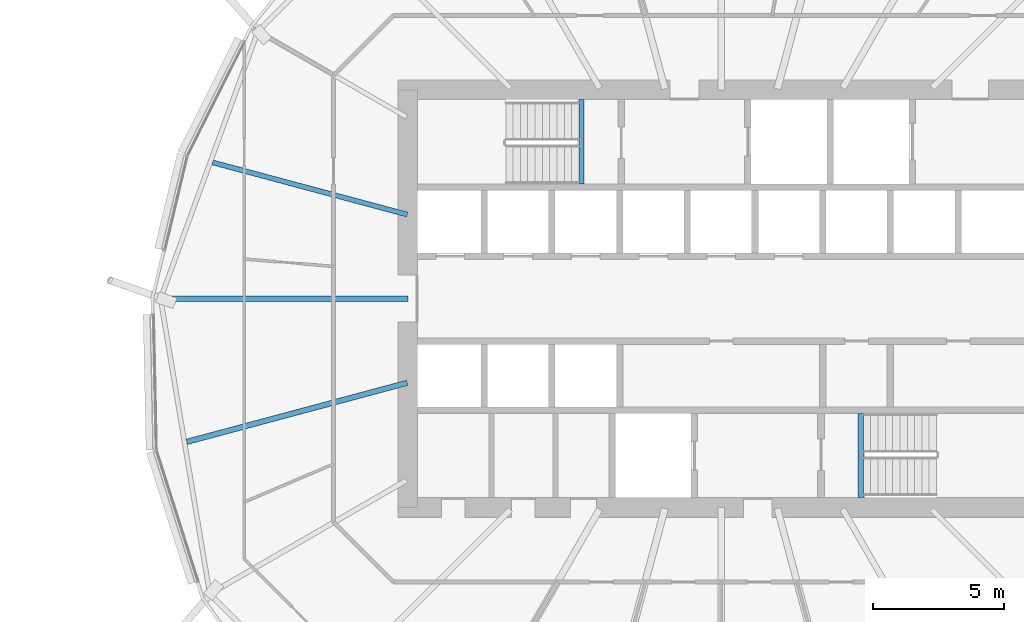
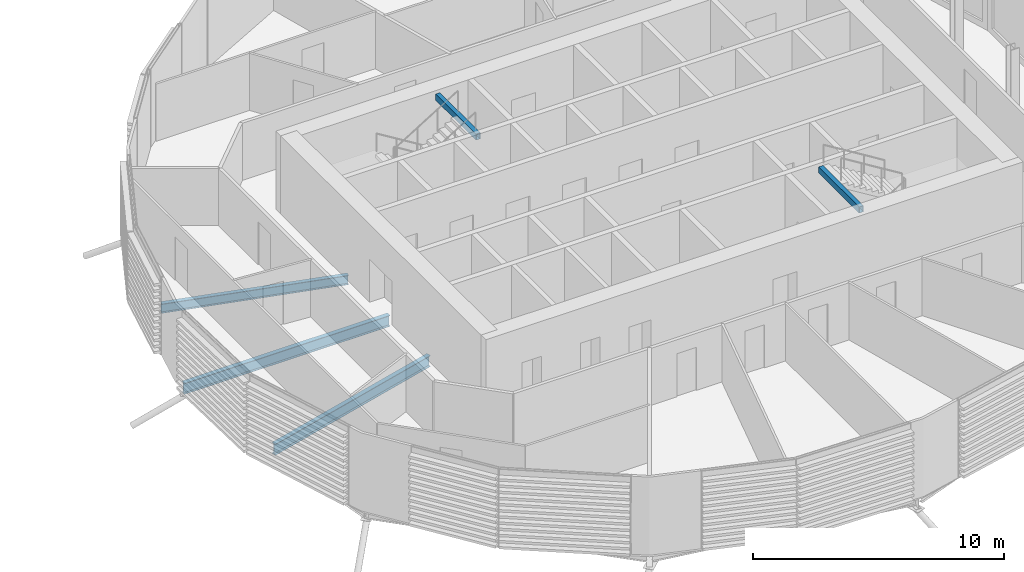
# One storey, part 15 of 38: 5 beams.
"""IFC4 building model written with IfcOpenShell, lengths in metres."""

from ifc_helpers import new_model, si_unit, direction, frame, origin, origin_2d, place, context, subcontext, project, spatial, hollow_rectangle, i_section, extrude, material, material_profile, profile_set, type_object, element, save


model = new_model("IFC4")

# Units and contexts
model_context = context("Model", 3, precision=1e-05, world=origin(), true_north=direction((0.0, 1.0)))
body_context = subcontext(model_context, "Body", "Model", "MODEL_VIEW")
ifc_project = project(units=[si_unit("LENGTHUNIT", "METRE"), si_unit("AREAUNIT", "SQUARE_METRE"), si_unit("VOLUMEUNIT", "CUBIC_METRE"), si_unit("PLANEANGLEUNIT", "RADIAN"), si_unit("MASSUNIT", "GRAM", prefix="KILO")], contexts=[model_context])

# Site, building, storey
site_placement = place(None, origin())
site = spatial("IfcSite", under=ifc_project, at=site_placement, CompositionType="ELEMENT")
building_placement = place(site_placement, origin())
building = spatial("IfcBuilding", under=site, at=building_placement, Name="Rimbun Link Towers", CompositionType="ELEMENT")
storey_placement = place(building_placement, frame((0.0, 0.0, 119.60009765625)))
storey = spatial("IfcBuildingStorey", under=building, at=storey_placement, Name="L29", CompositionType="ELEMENT", Elevation=119.60009765625)

# Beams
ifc_material_1 = material(Name="Steel S355J2", Category="steel")
ifc_material_profile_1 = material_profile(ifc_material_1, hollow_rectangle(XDim=0.199951171875, YDim=0.300048828125, WallThickness=0.011962890625, at=origin_2d()), Name="BOX 300x200x12")
ifc_profile_set_1 = profile_set([ifc_material_profile_1], Name="Steel S355J2")
beam_type_1 = type_object("IfcBeamType", Name="Stair trimmer beam BOX 300x200x12", PredefinedType="BEAM", material=ifc_profile_set_1)
for number, where, z_axis, x_axis, name in (
    (1, (26.39990234375, 7.625, 3.489990234375), (0.0, -1.0, 0.0), (1.0, 0.0, 0.0), "L29 ST3 stair beam 1"),
    (2, (37.10009765625, -7.625, 3.489990234375), (0.0, 1.0, 0.0), (-1.0, 0.0, 0.0), "L29 ST4 stair beam 1"),
):
    element("IfcBeam", number, at=place(storey_placement, frame(where, z_axis=z_axis, x_axis=x_axis)), inside=storey, type_object=beam_type_1, Name=name, PredefinedType="BEAM", context=body_context, shape_type="SweptSolid", body=[
        extrude(hollow_rectangle(XDim=0.199951171875, YDim=0.300048828125, WallThickness=0.011962890625, at=origin_2d()), origin(), (0.0, 0.0, 1.0), 3.22509765625),
    ])
ifc_material_2 = material(Name="Steel S355J2", Category="steel")
ifc_material_profile_2 = material_profile(ifc_material_2, i_section(OverallWidth=0.18994140625, OverallDepth=0.453369140625, WebThickness=0.008544921875, FlangeThickness=0.0126953125, at=origin_2d()), Name="UB 457x191x67")
ifc_profile_set_2 = profile_set([ifc_material_profile_2], Name="Steel S355J2")
beam_type_2 = type_object("IfcBeamType", Name="UB 457x191x67", PredefinedType="BEAM", material=ifc_profile_set_2)
beam_1_placement = place(storey_placement, frame((19.724609375, 3.22216796875, -0.38671875), z_axis=(-0.9659264379, 0.258816762529, 0.0), x_axis=(-0.258816762529, -0.9659264379, 0.0)))
element("IfcBeam", 3, at=beam_1_placement, inside=storey, type_object=beam_type_2, Name="Radial beam T2 L29 08", PredefinedType="BEAM", context=body_context, shape_type="SweptSolid", body=[
    extrude(i_section(OverallWidth=0.18994140625, OverallDepth=0.453369140625, WebThickness=0.008544921875, FlangeThickness=0.0126953125, at=origin_2d()), origin(), (0.0, 0.0, 1.0), 7.71435546875),
])
ifc_material_3 = material(Name="Steel S355J2", Category="steel")
ifc_material_profile_3 = material_profile(ifc_material_3, i_section(OverallWidth=0.209228515625, OverallDepth=0.533203125, WebThickness=0.010009765625, FlangeThickness=0.015625, at=origin_2d()), Name="UB 533x210x92")
ifc_profile_set_3 = profile_set([ifc_material_profile_3], Name="Steel S355J2")
beam_type_3 = type_object("IfcBeamType", Name="UB 533x210x92", PredefinedType="BEAM", material=ifc_profile_set_3)
beam_2_placement = place(storey_placement, frame((19.7490234375, 0.0, -0.426513671875), z_axis=(-1.0, 0.0, 0.0), x_axis=(0.0, -1.0, 0.0)))
element("IfcBeam", 4, at=beam_2_placement, inside=storey, type_object=beam_type_3, Name="Radial beam T2 L29 09", PredefinedType="BEAM", context=body_context, shape_type="SweptSolid", body=[
    extrude(i_section(OverallWidth=0.209228515625, OverallDepth=0.533203125, WebThickness=0.010009765625, FlangeThickness=0.015625, at=origin_2d()), origin(), (0.0, 0.0, 1.0), 9.47216796875),
])
beam_3_placement = place(storey_placement, frame((19.721923828125, -3.222900390625, -0.426513671875), z_axis=(-0.965926352771, -0.258817080236, 0.0), x_axis=(0.258817080236, -0.965926352771, 0.0)))
element("IfcBeam", 5, at=beam_3_placement, inside=storey, type_object=beam_type_3, Name="Radial beam T2 L29 10", PredefinedType="BEAM", context=body_context, shape_type="SweptSolid", body=[
    extrude(i_section(OverallWidth=0.209228515625, OverallDepth=0.533203125, WebThickness=0.010009765625, FlangeThickness=0.015625, at=origin_2d()), origin(), (0.0, 0.0, 1.0), 8.73876953125),
])

save(model, "model.ifc")
